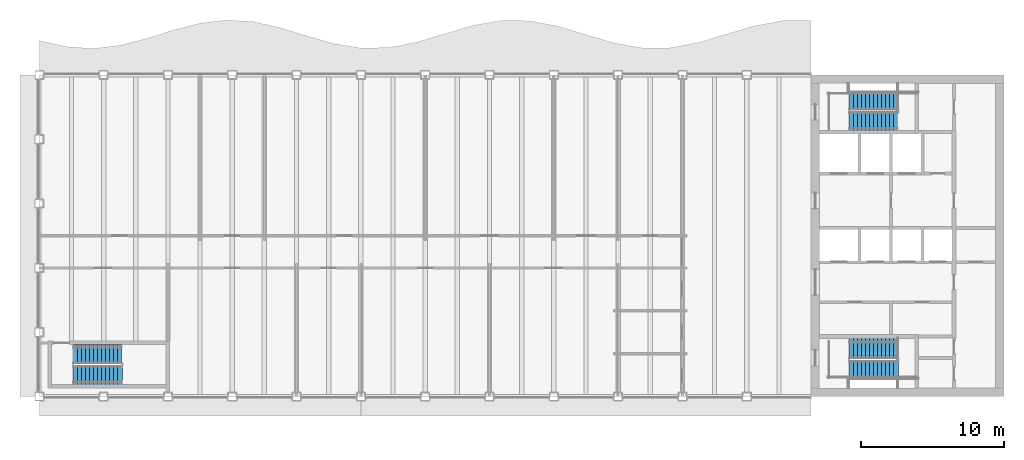
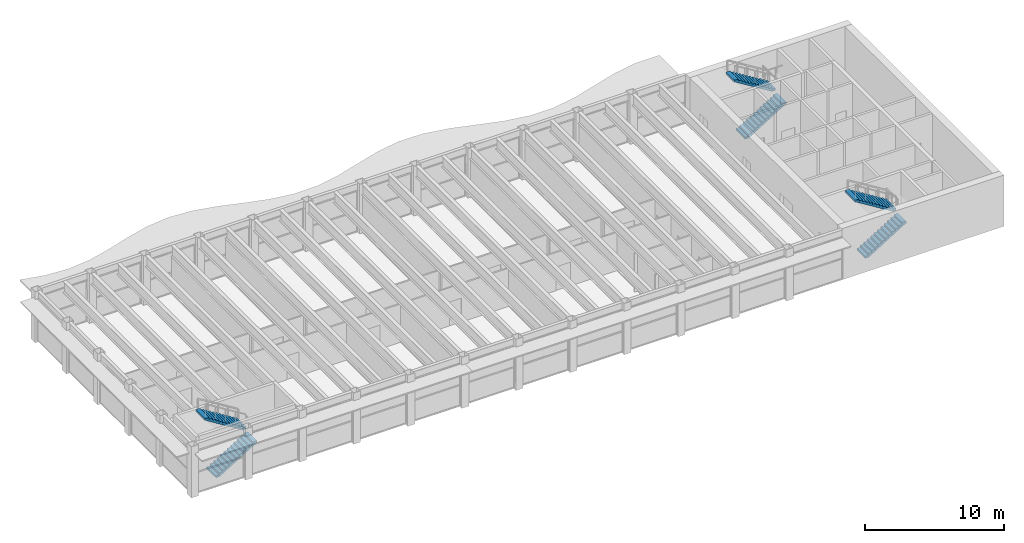
# One storey, part 11 of 14: 6 stair flights, 3 elements without a shape of their own.
"""IFC4 building model written with IfcOpenShell, lengths in metres."""

from ifc_helpers import new_model, si_unit, direction, frame, origin, place, context, subcontext, project, spatial, polyline, outline, extrude, material, type_object, element, aggregate, save


model = new_model("IFC4")

# Units and contexts
model_context = context("Model", 3, precision=1e-05, world=origin(), true_north=direction((0.0, 1.0)))
body_context = subcontext(model_context, "Body", "Model", "MODEL_VIEW")
ifc_project = project(units=[si_unit("LENGTHUNIT", "METRE"), si_unit("AREAUNIT", "SQUARE_METRE"), si_unit("VOLUMEUNIT", "CUBIC_METRE"), si_unit("PLANEANGLEUNIT", "RADIAN"), si_unit("MASSUNIT", "GRAM", prefix="KILO")], contexts=[model_context])

# Site, building, storey
site_placement = place(None, origin())
site = spatial("IfcSite", under=ifc_project, at=site_placement, CompositionType="ELEMENT")
building_placement = place(site_placement, origin())
building = spatial("IfcBuilding", under=site, at=building_placement, Name="Sennacour Bend Tower", CompositionType="ELEMENT")
storey_placement = place(building_placement, frame((0.0, 0.0, 309.5)))
storey = spatial("IfcBuildingStorey", under=building, at=storey_placement, Name="L71", CompositionType="ELEMENT", Elevation=309.5)

# Stair, stair flights
ifc_material = material(Name="Concrete C40/50", Category="concrete")
stair_type = type_object("IfcStairType", Name="ST-DOGLEG", PredefinedType="HALF_TURN_STAIR", material=ifc_material)
stair_1_placement = place(storey_placement, origin())
stair_1 = element("IfcStair", 1, at=stair_1_placement, inside=storey, type_object=stair_type, Name="L71 Exit stair A1", PredefinedType="HALF_TURN_STAIR")
stair_flight_type = type_object("IfcStairFlightType", Name="SFL-RC", PredefinedType="STRAIGHT", material=ifc_material)
stair_flight_1_placement = place(storey_placement, frame((56.699951171875, 1.89990234375, 0.0), z_axis=(0.0, 0.0, 1.0), x_axis=(1.0, 0.0, 0.0)))
stair_flight_1 = element("IfcStairFlight", 2, at=stair_flight_1_placement, type_object=stair_flight_type, Name="SA1 flight 1", NumberOfRisers=13, NumberOfTreads=12, PredefinedType="STRAIGHT", RiserHeight=0.173076923, TreadLength=0.28, context=body_context, shape_type="SweptSolid", body=[
    extrude(outline(polyline([(0.0, 0.0), (0.0, 0.173095703125), (0.280029296875, 0.173095703125), (0.280029296875, 0.34619140625), (0.56005859375, 0.34619140625), (0.56005859375, 0.519287109375), (0.840087890625, 0.519287109375), (0.840087890625, 0.6923828125), (1.1201171875, 0.6923828125), (1.1201171875, 0.865478515625), (1.39990234375, 0.865478515625), (1.39990234375, 1.03857421875), (1.679931640625, 1.03857421875), (1.679931640625, 1.21142578125), (1.9599609375, 1.21142578125), (1.9599609375, 1.384521484375), (2.239990234375, 1.384521484375), (2.239990234375, 1.5576171875), (2.52001953125, 1.5576171875), (2.52001953125, 1.730712890625), (2.800048828125, 1.730712890625), (2.800048828125, 1.90380859375), (3.080078125, 1.90380859375), (3.080078125, 2.076904296875), (3.360107421875, 2.076904296875), (3.419921875, 2.076904296875), (3.419921875, 1.900634765625), (3.360107421875, 1.900634765625), (0.28515625, 0.0), (0.0, 0.0)])), frame((0.0, 0.60009765625, 0.0), z_axis=(0.0, -1.0, 0.0), x_axis=(1.0, 0.0, 0.0)), (0.0, 0.0, 1.0), 1.199951171875),
])
stair_flight_2_placement = place(storey_placement, frame((60.06005859375, 3.37744140625, 2.25), z_axis=(0.0, 0.0, 1.0), x_axis=(-1.0, 0.0, 0.0)))
stair_flight_2 = element("IfcStairFlight", 3, at=stair_flight_2_placement, type_object=stair_flight_type, Name="SA1 flight 2", NumberOfRisers=13, NumberOfTreads=12, PredefinedType="STRAIGHT", RiserHeight=0.173076923, TreadLength=0.28, context=body_context, shape_type="SweptSolid", body=[
    extrude(outline(polyline([(0.0, 0.0), (0.0, 0.173095703125), (0.280029296875, 0.173095703125), (0.280029296875, 0.34619140625), (0.56005859375, 0.34619140625), (0.56005859375, 0.519287109375), (0.840087890625, 0.519287109375), (0.840087890625, 0.6923828125), (1.1201171875, 0.6923828125), (1.1201171875, 0.865478515625), (1.39990234375, 0.865478515625), (1.39990234375, 1.03857421875), (1.679931640625, 1.03857421875), (1.679931640625, 1.21142578125), (1.9599609375, 1.21142578125), (1.9599609375, 1.384521484375), (2.239990234375, 1.384521484375), (2.239990234375, 1.5576171875), (2.52001953125, 1.5576171875), (2.52001953125, 1.730712890625), (2.800048828125, 1.730712890625), (2.800048828125, 1.90380859375), (3.080078125, 1.90380859375), (3.080078125, 2.076904296875), (3.360107421875, 2.076904296875), (3.419921875, 2.076904296875), (3.419921875, 1.900634765625), (3.360107421875, 1.900634765625), (0.28515625, 0.0), (0.0, 0.0)])), frame((0.0, 0.7275390625, 0.0), z_axis=(0.0, -1.0, 0.0), x_axis=(1.0, 0.0, 0.0)), (0.0, 0.0, 1.0), 1.455078125),
])
aggregate(stair_1, [stair_flight_1, stair_flight_2])

stair_2_placement = place(storey_placement, origin())
stair_2 = element("IfcStair", 4, at=stair_2_placement, inside=storey, type_object=stair_type, Name="L71 Exit stair A2", PredefinedType="HALF_TURN_STAIR")
stair_flight_3_placement = place(storey_placement, frame((56.699951171875, 19.24755859375, 0.0), z_axis=(0.0, 0.0, 1.0), x_axis=(1.0, 0.0, 0.0)))
stair_flight_3 = element("IfcStairFlight", 5, at=stair_flight_3_placement, type_object=stair_flight_type, Name="SA2 flight 1", NumberOfRisers=13, NumberOfTreads=12, PredefinedType="STRAIGHT", RiserHeight=0.173076923, TreadLength=0.28, context=body_context, shape_type="SweptSolid", body=[
    extrude(outline(polyline([(0.0, 0.0), (0.0, 0.173095703125), (0.280029296875, 0.173095703125), (0.280029296875, 0.34619140625), (0.56005859375, 0.34619140625), (0.56005859375, 0.519287109375), (0.840087890625, 0.519287109375), (0.840087890625, 0.6923828125), (1.1201171875, 0.6923828125), (1.1201171875, 0.865478515625), (1.39990234375, 0.865478515625), (1.39990234375, 1.03857421875), (1.679931640625, 1.03857421875), (1.679931640625, 1.21142578125), (1.9599609375, 1.21142578125), (1.9599609375, 1.384521484375), (2.239990234375, 1.384521484375), (2.239990234375, 1.5576171875), (2.52001953125, 1.5576171875), (2.52001953125, 1.730712890625), (2.800048828125, 1.730712890625), (2.800048828125, 1.90380859375), (3.080078125, 1.90380859375), (3.080078125, 2.076904296875), (3.360107421875, 2.076904296875), (3.419921875, 2.076904296875), (3.419921875, 1.900634765625), (3.360107421875, 1.900634765625), (0.28515625, 0.0), (0.0, 0.0)])), frame((0.0, 0.65234375, 0.0), z_axis=(0.0, -1.0, 0.0), x_axis=(1.0, 0.0, 0.0)), (0.0, 0.0, 1.0), 1.304931640625),
])
stair_flight_4_placement = place(storey_placement, frame((60.06005859375, 20.64990234375, 2.25), z_axis=(0.0, 0.0, 1.0), x_axis=(-1.0, 0.0, 0.0)))
stair_flight_4 = element("IfcStairFlight", 6, at=stair_flight_4_placement, type_object=stair_flight_type, Name="SA2 flight 2", NumberOfRisers=13, NumberOfTreads=12, PredefinedType="STRAIGHT", RiserHeight=0.173076923, TreadLength=0.28, context=body_context, shape_type="SweptSolid", body=[
    extrude(outline(polyline([(0.0, 0.0), (0.0, 0.173095703125), (0.280029296875, 0.173095703125), (0.280029296875, 0.34619140625), (0.56005859375, 0.34619140625), (0.56005859375, 0.519287109375), (0.840087890625, 0.519287109375), (0.840087890625, 0.6923828125), (1.1201171875, 0.6923828125), (1.1201171875, 0.865478515625), (1.39990234375, 0.865478515625), (1.39990234375, 1.03857421875), (1.679931640625, 1.03857421875), (1.679931640625, 1.21142578125), (1.9599609375, 1.21142578125), (1.9599609375, 1.384521484375), (2.239990234375, 1.384521484375), (2.239990234375, 1.5576171875), (2.52001953125, 1.5576171875), (2.52001953125, 1.730712890625), (2.800048828125, 1.730712890625), (2.800048828125, 1.90380859375), (3.080078125, 1.90380859375), (3.080078125, 2.076904296875), (3.360107421875, 2.076904296875), (3.419921875, 2.076904296875), (3.419921875, 1.900634765625), (3.360107421875, 1.900634765625), (0.28515625, 0.0), (0.0, 0.0)])), frame((0.0, 0.60009765625, 0.0), z_axis=(0.0, -1.0, 0.0), x_axis=(1.0, 0.0, 0.0)), (0.0, 0.0, 1.0), 1.199951171875),
])
aggregate(stair_2, [stair_flight_3, stair_flight_4])

stair_3_placement = place(storey_placement, origin())
stair_3 = element("IfcStair", 7, at=stair_3_placement, inside=storey, type_object=stair_type, Name="L71 Exit stair K1", PredefinedType="HALF_TURN_STAIR")
stair_flight_5_placement = place(storey_placement, frame((2.39990234375, 1.485107421875, 0.0), z_axis=(0.0, 0.0, 1.0), x_axis=(1.0, 0.0, 0.0)))
stair_flight_5 = element("IfcStairFlight", 8, at=stair_flight_5_placement, type_object=stair_flight_type, Name="SK1 flight 1", NumberOfRisers=13, NumberOfTreads=12, PredefinedType="STRAIGHT", RiserHeight=0.173076923, TreadLength=0.28, context=body_context, shape_type="SweptSolid", body=[
    extrude(outline(polyline([(0.0, 0.0), (0.0, 0.173095703125), (0.280029296875, 0.173095703125), (0.280029296875, 0.34619140625), (0.56005859375, 0.34619140625), (0.56005859375, 0.519287109375), (0.840087890625, 0.519287109375), (0.840087890625, 0.6923828125), (1.1201171875, 0.6923828125), (1.1201171875, 0.865478515625), (1.39990234375, 0.865478515625), (1.39990234375, 1.03857421875), (1.679931640625, 1.03857421875), (1.679931640625, 1.21142578125), (1.9599609375, 1.21142578125), (1.9599609375, 1.384521484375), (2.239990234375, 1.384521484375), (2.239990234375, 1.5576171875), (2.52001953125, 1.5576171875), (2.52001953125, 1.730712890625), (2.800048828125, 1.730712890625), (2.800048828125, 1.90380859375), (3.080078125, 1.90380859375), (3.080078125, 2.076904296875), (3.360107421875, 2.076904296875), (3.419921875, 2.076904296875), (3.419921875, 1.900634765625), (3.360107421875, 1.900634765625), (0.28515625, 0.0), (0.0, 0.0)])), frame((0.0, 0.6650390625, 0.0), z_axis=(0.0, -1.0, 0.0), x_axis=(1.0, 0.0, 0.0)), (0.0, 0.0, 1.0), 1.330078125),
])
stair_flight_6_placement = place(storey_placement, frame((5.760009765625, 2.9775390625, 2.25), z_axis=(0.0, 0.0, 1.0), x_axis=(-1.0, 0.0, 0.0)))
stair_flight_6 = element("IfcStairFlight", 9, at=stair_flight_6_placement, type_object=stair_flight_type, Name="SK1 flight 2", NumberOfRisers=13, NumberOfTreads=12, PredefinedType="STRAIGHT", RiserHeight=0.173076923, TreadLength=0.28, context=body_context, shape_type="SweptSolid", body=[
    extrude(outline(polyline([(0.0, 0.0), (0.0, 0.173095703125), (0.280029296875, 0.173095703125), (0.280029296875, 0.34619140625), (0.56005859375, 0.34619140625), (0.56005859375, 0.519287109375), (0.840087890625, 0.519287109375), (0.840087890625, 0.6923828125), (1.1201171875, 0.6923828125), (1.1201171875, 0.865478515625), (1.39990234375, 0.865478515625), (1.39990234375, 1.03857421875), (1.679931640625, 1.03857421875), (1.679931640625, 1.21142578125), (1.9599609375, 1.21142578125), (1.9599609375, 1.384521484375), (2.239990234375, 1.384521484375), (2.239990234375, 1.5576171875), (2.52001953125, 1.5576171875), (2.52001953125, 1.730712890625), (2.800048828125, 1.730712890625), (2.800048828125, 1.90380859375), (3.080078125, 1.90380859375), (3.080078125, 2.076904296875), (3.360107421875, 2.076904296875), (3.419921875, 2.076904296875), (3.419921875, 1.900634765625), (3.360107421875, 1.900634765625), (0.28515625, 0.0), (0.0, 0.0)])), frame((0.0, 0.677490234375, 0.0), z_axis=(0.0, -1.0, 0.0), x_axis=(1.0, 0.0, 0.0)), (0.0, 0.0, 1.0), 1.35498046875),
])
aggregate(stair_3, [stair_flight_5, stair_flight_6])

save(model, "model.ifc")
